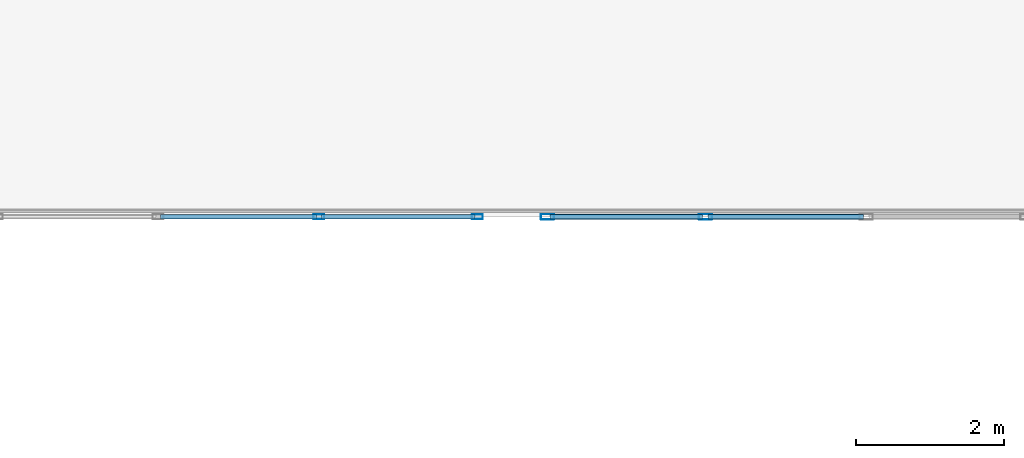
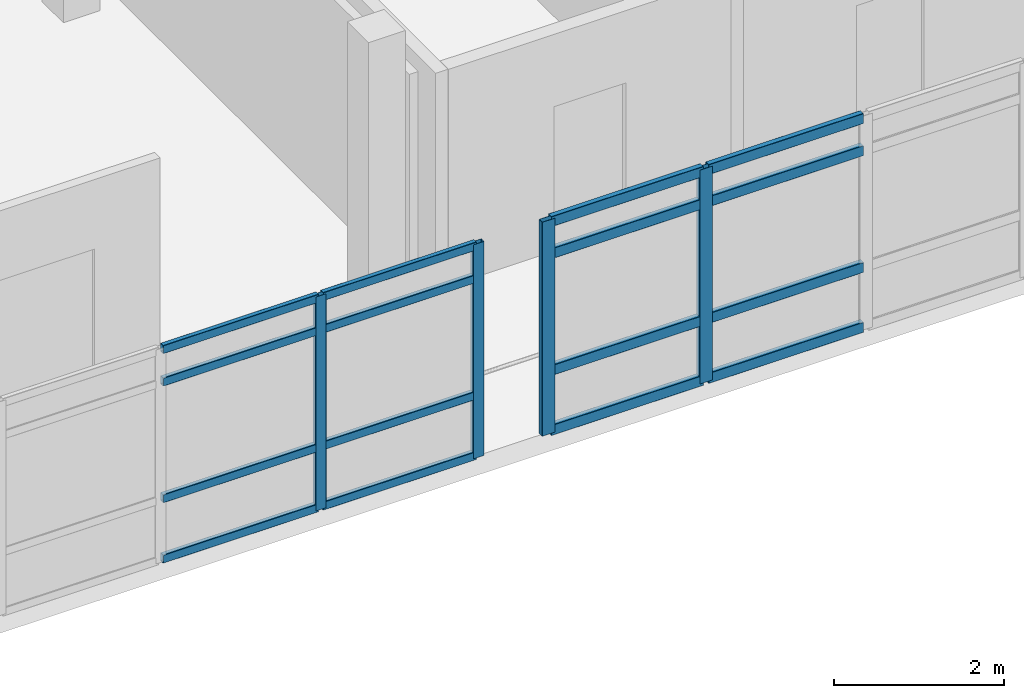
# One storey, part 10 of 24: 20 members, 2 elements without a shape of their own.
"""IFC4 building model written with IfcOpenShell, lengths in metres."""

from ifc_helpers import new_model, si_unit, direction, frame, origin, origin_2d, place, context, subcontext, project, spatial, hollow_rectangle, extrude, material, layer, layer_set, material_profile, profile_set, type_object, element, aggregate, save


model = new_model("IFC4")

# Units and contexts
model_context = context("Model", 3, precision=1e-05, world=origin(), true_north=direction((0.0, 1.0)))
body_context = subcontext(model_context, "Body", "Model", "MODEL_VIEW")
ifc_project = project(units=[si_unit("LENGTHUNIT", "METRE"), si_unit("AREAUNIT", "SQUARE_METRE"), si_unit("VOLUMEUNIT", "CUBIC_METRE"), si_unit("PLANEANGLEUNIT", "RADIAN"), si_unit("MASSUNIT", "GRAM", prefix="KILO")], contexts=[model_context])

# Site, building, storey
site_placement = place(None, origin())
site = spatial("IfcSite", under=ifc_project, at=site_placement, CompositionType="ELEMENT")
building_placement = place(site_placement, origin())
building = spatial("IfcBuilding", under=site, at=building_placement, Name="Asteropetra Specialist Clinic", CompositionType="ELEMENT")
storey_placement = place(building_placement, frame((0.0, 0.0, 20.739990234375)))
storey = spatial("IfcBuildingStorey", under=building, at=storey_placement, Name="L05", CompositionType="ELEMENT", Elevation=20.739990234375)

# Curtain wall, members
ifc_material_1 = material(Name="Aluminium and low-E glass", Category="aluminium")
ifc_layer_1 = layer(ifc_material_1, 0.135009765625)
ifc_layer_set_1 = layer_set([ifc_layer_1], Name="Aluminium and low-E glass")
curtain_wall_type_1 = type_object("IfcCurtainWallType", Name="CW-SYS-03", PredefinedType="USERDEFINED", material=ifc_layer_set_1)
curtain_wall_1_placement = place(storey_placement, origin())
curtain_wall_1 = element("IfcCurtainWall", 1, at=curtain_wall_1_placement, inside=storey, type_object=curtain_wall_type_1, Name="Curtain Wall CW-058", ObjectType="UNITISED CURTAIN WALL", PredefinedType="USERDEFINED")
ifc_material_2 = material(Name="Aluminium 6063-T6", Category="aluminium")
ifc_material_profile_1 = material_profile(ifc_material_2, hollow_rectangle(XDim=0.06494140625, YDim=0.14990234375, WallThickness=0.00390625, InnerFilletRadius=0.00390625, OuterFilletRadius=0.008056640625, at=origin_2d()), Name="MUL 150x65x4.0")
ifc_profile_set_1 = profile_set([ifc_material_profile_1], Name="Aluminium 6063-T6")
member_type_1 = type_object("IfcMemberType", Name="CWM-150x65", PredefinedType="MULLION", material=ifc_profile_set_1)
member_1_placement = place(storey_placement, frame((18.7275390625, 95.199951171875, 0.0), z_axis=(0.0, 0.0, 1.0), x_axis=(0.0, -1.0, 0.0)))
member_1 = element("IfcMember", 2, at=member_1_placement, type_object=member_type_1, Name="CW-058 mullion 1", PredefinedType="MULLION", context=body_context, shape_type="SweptSolid", body=[
    extrude(hollow_rectangle(XDim=0.06494140625, YDim=0.14990234375, WallThickness=0.00390625, InnerFilletRadius=0.00390625, OuterFilletRadius=0.008056640625, at=origin_2d()), origin(), (0.0, 0.0, 1.0), 3.080078125),
])
member_2_placement = place(storey_placement, frame((16.580078125, 95.199951171875, 0.0), z_axis=(0.0, 0.0, 1.0), x_axis=(0.0, -1.0, 0.0)))
member_2 = element("IfcMember", 3, at=member_2_placement, type_object=member_type_1, Name="CW-058 mullion 2", PredefinedType="MULLION", context=body_context, shape_type="SweptSolid", body=[
    extrude(hollow_rectangle(XDim=0.06494140625, YDim=0.14990234375, WallThickness=0.00390625, InnerFilletRadius=0.00390625, OuterFilletRadius=0.008056640625, at=origin_2d()), origin(), (0.0, 0.0, 1.0), 3.080078125),
])

ifc_material_3 = material(Name="Aluminium and low-E glass", Category="aluminium")
ifc_layer_2 = layer(ifc_material_3, 0.179931640625)
ifc_layer_set_2 = layer_set([ifc_layer_2], Name="Aluminium and low-E glass")
curtain_wall_type_2 = type_object("IfcCurtainWallType", Name="CW-SYS-04", PredefinedType="USERDEFINED", material=ifc_layer_set_2)
curtain_wall_2_placement = place(storey_placement, origin())
curtain_wall_2 = element("IfcCurtainWall", 4, at=curtain_wall_2_placement, inside=storey, type_object=curtain_wall_type_2, Name="Curtain Wall CW-060", ObjectType="UNITISED CURTAIN WALL", PredefinedType="USERDEFINED")
ifc_material_4 = material(Name="Aluminium 6063-T6", Category="aluminium")
ifc_material_profile_2 = material_profile(ifc_material_4, hollow_rectangle(XDim=0.074951171875, YDim=0.179931640625, WallThickness=0.00390625, InnerFilletRadius=0.00390625, OuterFilletRadius=0.008056640625, at=origin_2d()), Name="MUL 180x75x4.0")
ifc_profile_set_2 = profile_set([ifc_material_profile_2], Name="Aluminium 6063-T6")
member_type_2 = type_object("IfcMemberType", Name="CWM-180x75", PredefinedType="MULLION", material=ifc_profile_set_2)
member_3_placement = place(storey_placement, frame((21.820068359375, 95.199951171875, 0.0), z_axis=(0.0, 0.0, 1.0), x_axis=(0.0, -1.0, 0.0)))
member_3 = element("IfcMember", 5, at=member_3_placement, type_object=member_type_2, Name="CW-060 mullion 4", PredefinedType="MULLION", context=body_context, shape_type="SweptSolid", body=[
    extrude(hollow_rectangle(XDim=0.074951171875, YDim=0.179931640625, WallThickness=0.00390625, InnerFilletRadius=0.00390625, OuterFilletRadius=0.008056640625, at=origin_2d()), origin(), (0.0, 0.0, 1.0), 3.080078125),
])
member_4_placement = place(storey_placement, frame((19.677490234375, 95.199951171875, 0.0), z_axis=(0.0, 0.0, 1.0), x_axis=(0.0, -1.0, 0.0)))
member_4 = element("IfcMember", 6, at=member_4_placement, type_object=member_type_2, Name="CW-060 mullion 5", PredefinedType="MULLION", context=body_context, shape_type="SweptSolid", body=[
    extrude(hollow_rectangle(XDim=0.074951171875, YDim=0.179931640625, WallThickness=0.00390625, InnerFilletRadius=0.00390625, OuterFilletRadius=0.008056640625, at=origin_2d()), origin(), (0.0, 0.0, 1.0), 3.080078125),
])

# Member
ifc_material_5 = material(Name="Aluminium 6063-T6", Category="aluminium")
ifc_material_profile_3 = material_profile(ifc_material_5, hollow_rectangle(XDim=0.06494140625, YDim=0.1201171875, WallThickness=0.00390625, InnerFilletRadius=0.00390625, OuterFilletRadius=0.008056640625, at=origin_2d()), Name="TRN 120x65x4.0")
ifc_profile_set_3 = profile_set([ifc_material_profile_3], Name="Aluminium 6063-T6")
member_type_3 = type_object("IfcMemberType", Name="CWT-120x65", PredefinedType="USERDEFINED", material=ifc_profile_set_3)
member_5_placement = place(storey_placement, frame((18.695068359375, 95.199951171875, 0.032470703125), z_axis=(-1.0, 0.0, 0.0), x_axis=(0.0, -1.0, 0.0)))
member_5 = element("IfcMember", 7, at=member_5_placement, type_object=member_type_3, Name="CW-058 transom 1.1", ObjectType="TRANSOM", PredefinedType="USERDEFINED", context=body_context, shape_type="SweptSolid", body=[
    extrude(hollow_rectangle(XDim=0.06494140625, YDim=0.1201171875, WallThickness=0.00390625, InnerFilletRadius=0.00390625, OuterFilletRadius=0.008056640625, at=origin_2d()), origin(), (0.0, 0.0, 1.0), 2.08251953125),
])

member_6_placement = place(storey_placement, frame((18.695068359375, 95.199951171875, 0.89990234375), z_axis=(-1.0, 0.0, 0.0), x_axis=(0.0, -1.0, 0.0)))
member_6 = element("IfcMember", 8, at=member_6_placement, type_object=member_type_3, Name="CW-058 transom 1.2", ObjectType="TRANSOM", PredefinedType="USERDEFINED", context=body_context, shape_type="SweptSolid", body=[
    extrude(hollow_rectangle(XDim=0.06494140625, YDim=0.1201171875, WallThickness=0.00390625, InnerFilletRadius=0.00390625, OuterFilletRadius=0.008056640625, at=origin_2d()), origin(), (0.0, 0.0, 1.0), 2.08251953125),
])

member_7_placement = place(storey_placement, frame((18.695068359375, 95.199951171875, 2.580078125), z_axis=(-1.0, 0.0, 0.0), x_axis=(0.0, -1.0, 0.0)))
member_7 = element("IfcMember", 9, at=member_7_placement, type_object=member_type_3, Name="CW-058 transom 1.3", ObjectType="TRANSOM", PredefinedType="USERDEFINED", context=body_context, shape_type="SweptSolid", body=[
    extrude(hollow_rectangle(XDim=0.06494140625, YDim=0.1201171875, WallThickness=0.00390625, InnerFilletRadius=0.00390625, OuterFilletRadius=0.008056640625, at=origin_2d()), origin(), (0.0, 0.0, 1.0), 2.08251953125),
])

member_8_placement = place(storey_placement, frame((18.695068359375, 95.199951171875, 3.047607421875), z_axis=(-1.0, 0.0, 0.0), x_axis=(0.0, -1.0, 0.0)))
member_8 = element("IfcMember", 10, at=member_8_placement, type_object=member_type_3, Name="CW-058 transom 1.4", ObjectType="TRANSOM", PredefinedType="USERDEFINED", context=body_context, shape_type="SweptSolid", body=[
    extrude(hollow_rectangle(XDim=0.06494140625, YDim=0.1201171875, WallThickness=0.00390625, InnerFilletRadius=0.00390625, OuterFilletRadius=0.008056640625, at=origin_2d()), origin(), (0.0, 0.0, 1.0), 2.08251953125),
])

member_9_placement = place(storey_placement, frame((16.547607421875, 95.199951171875, 0.032470703125), z_axis=(-1.0, 0.0, 0.0), x_axis=(0.0, -1.0, 0.0)))
member_9 = element("IfcMember", 11, at=member_9_placement, type_object=member_type_3, Name="CW-058 transom 2.1", ObjectType="TRANSOM", PredefinedType="USERDEFINED", context=body_context, shape_type="SweptSolid", body=[
    extrude(hollow_rectangle(XDim=0.06494140625, YDim=0.1201171875, WallThickness=0.00390625, InnerFilletRadius=0.00390625, OuterFilletRadius=0.008056640625, at=origin_2d()), origin(), (0.0, 0.0, 1.0), 2.114990234375),
])

member_10_placement = place(storey_placement, frame((16.547607421875, 95.199951171875, 0.89990234375), z_axis=(-1.0, 0.0, 0.0), x_axis=(0.0, -1.0, 0.0)))
member_10 = element("IfcMember", 12, at=member_10_placement, type_object=member_type_3, Name="CW-058 transom 2.2", ObjectType="TRANSOM", PredefinedType="USERDEFINED", context=body_context, shape_type="SweptSolid", body=[
    extrude(hollow_rectangle(XDim=0.06494140625, YDim=0.1201171875, WallThickness=0.00390625, InnerFilletRadius=0.00390625, OuterFilletRadius=0.008056640625, at=origin_2d()), origin(), (0.0, 0.0, 1.0), 2.114990234375),
])

member_11_placement = place(storey_placement, frame((16.547607421875, 95.199951171875, 2.580078125), z_axis=(-1.0, 0.0, 0.0), x_axis=(0.0, -1.0, 0.0)))
member_11 = element("IfcMember", 13, at=member_11_placement, type_object=member_type_3, Name="CW-058 transom 2.3", ObjectType="TRANSOM", PredefinedType="USERDEFINED", context=body_context, shape_type="SweptSolid", body=[
    extrude(hollow_rectangle(XDim=0.06494140625, YDim=0.1201171875, WallThickness=0.00390625, InnerFilletRadius=0.00390625, OuterFilletRadius=0.008056640625, at=origin_2d()), origin(), (0.0, 0.0, 1.0), 2.114990234375),
])

member_12_placement = place(storey_placement, frame((16.547607421875, 95.199951171875, 3.047607421875), z_axis=(-1.0, 0.0, 0.0), x_axis=(0.0, -1.0, 0.0)))
member_12 = element("IfcMember", 14, at=member_12_placement, type_object=member_type_3, Name="CW-058 transom 2.4", ObjectType="TRANSOM", PredefinedType="USERDEFINED", context=body_context, shape_type="SweptSolid", body=[
    extrude(hollow_rectangle(XDim=0.06494140625, YDim=0.1201171875, WallThickness=0.00390625, InnerFilletRadius=0.00390625, OuterFilletRadius=0.008056640625, at=origin_2d()), origin(), (0.0, 0.0, 1.0), 2.114990234375),
])

aggregate(curtain_wall_1, [member_1, member_2, member_5, member_6, member_7, member_8, member_9, member_10, member_11, member_12])

ifc_material_6 = material(Name="Aluminium 6063-T6", Category="aluminium")
ifc_material_profile_4 = material_profile(ifc_material_6, hollow_rectangle(XDim=0.074951171875, YDim=0.14990234375, WallThickness=0.00390625, InnerFilletRadius=0.00390625, OuterFilletRadius=0.008056640625, at=origin_2d()), Name="TRN 150x75x4.0")
ifc_profile_set_4 = profile_set([ifc_material_profile_4], Name="Aluminium 6063-T6")
member_type_4 = type_object("IfcMemberType", Name="CWT-150x75", PredefinedType="USERDEFINED", material=ifc_profile_set_4)
member_13_placement = place(storey_placement, frame((23.96240234375, 95.199951171875, 0.03759765625), z_axis=(-1.0, 0.0, 0.0), x_axis=(0.0, -1.0, 0.0)))
member_13 = element("IfcMember", 15, at=member_13_placement, type_object=member_type_4, Name="CW-060 transom 3.1", ObjectType="TRANSOM", PredefinedType="USERDEFINED", context=body_context, shape_type="SweptSolid", body=[
    extrude(hollow_rectangle(XDim=0.074951171875, YDim=0.14990234375, WallThickness=0.00390625, InnerFilletRadius=0.00390625, OuterFilletRadius=0.008056640625, at=origin_2d()), origin(), (0.0, 0.0, 1.0), 2.10498046875),
])

member_14_placement = place(storey_placement, frame((23.96240234375, 95.199951171875, 0.89990234375), z_axis=(-1.0, 0.0, 0.0), x_axis=(0.0, -1.0, 0.0)))
member_14 = element("IfcMember", 16, at=member_14_placement, type_object=member_type_4, Name="CW-060 transom 3.2", ObjectType="TRANSOM", PredefinedType="USERDEFINED", context=body_context, shape_type="SweptSolid", body=[
    extrude(hollow_rectangle(XDim=0.074951171875, YDim=0.14990234375, WallThickness=0.00390625, InnerFilletRadius=0.00390625, OuterFilletRadius=0.008056640625, at=origin_2d()), origin(), (0.0, 0.0, 1.0), 2.10498046875),
])

member_15_placement = place(storey_placement, frame((23.96240234375, 95.199951171875, 2.580078125), z_axis=(-1.0, 0.0, 0.0), x_axis=(0.0, -1.0, 0.0)))
member_15 = element("IfcMember", 17, at=member_15_placement, type_object=member_type_4, Name="CW-060 transom 3.3", ObjectType="TRANSOM", PredefinedType="USERDEFINED", context=body_context, shape_type="SweptSolid", body=[
    extrude(hollow_rectangle(XDim=0.074951171875, YDim=0.14990234375, WallThickness=0.00390625, InnerFilletRadius=0.00390625, OuterFilletRadius=0.008056640625, at=origin_2d()), origin(), (0.0, 0.0, 1.0), 2.10498046875),
])

member_16_placement = place(storey_placement, frame((23.96240234375, 95.199951171875, 3.04248046875), z_axis=(-1.0, 0.0, 0.0), x_axis=(0.0, -1.0, 0.0)))
member_16 = element("IfcMember", 18, at=member_16_placement, type_object=member_type_4, Name="CW-060 transom 3.4", ObjectType="TRANSOM", PredefinedType="USERDEFINED", context=body_context, shape_type="SweptSolid", body=[
    extrude(hollow_rectangle(XDim=0.074951171875, YDim=0.14990234375, WallThickness=0.00390625, InnerFilletRadius=0.00390625, OuterFilletRadius=0.008056640625, at=origin_2d()), origin(), (0.0, 0.0, 1.0), 2.10498046875),
])

member_17_placement = place(storey_placement, frame((21.782470703125, 95.199951171875, 0.03759765625), z_axis=(-1.0, 0.0, 0.0), x_axis=(0.0, -1.0, 0.0)))
member_17 = element("IfcMember", 19, at=member_17_placement, type_object=member_type_4, Name="CW-060 transom 4.1", ObjectType="TRANSOM", PredefinedType="USERDEFINED", context=body_context, shape_type="SweptSolid", body=[
    extrude(hollow_rectangle(XDim=0.074951171875, YDim=0.14990234375, WallThickness=0.00390625, InnerFilletRadius=0.00390625, OuterFilletRadius=0.008056640625, at=origin_2d()), origin(), (0.0, 0.0, 1.0), 2.0673828125),
])

member_18_placement = place(storey_placement, frame((21.782470703125, 95.199951171875, 0.89990234375), z_axis=(-1.0, 0.0, 0.0), x_axis=(0.0, -1.0, 0.0)))
member_18 = element("IfcMember", 20, at=member_18_placement, type_object=member_type_4, Name="CW-060 transom 4.2", ObjectType="TRANSOM", PredefinedType="USERDEFINED", context=body_context, shape_type="SweptSolid", body=[
    extrude(hollow_rectangle(XDim=0.074951171875, YDim=0.14990234375, WallThickness=0.00390625, InnerFilletRadius=0.00390625, OuterFilletRadius=0.008056640625, at=origin_2d()), origin(), (0.0, 0.0, 1.0), 2.0673828125),
])

member_19_placement = place(storey_placement, frame((21.782470703125, 95.199951171875, 2.580078125), z_axis=(-1.0, 0.0, 0.0), x_axis=(0.0, -1.0, 0.0)))
member_19 = element("IfcMember", 21, at=member_19_placement, type_object=member_type_4, Name="CW-060 transom 4.3", ObjectType="TRANSOM", PredefinedType="USERDEFINED", context=body_context, shape_type="SweptSolid", body=[
    extrude(hollow_rectangle(XDim=0.074951171875, YDim=0.14990234375, WallThickness=0.00390625, InnerFilletRadius=0.00390625, OuterFilletRadius=0.008056640625, at=origin_2d()), origin(), (0.0, 0.0, 1.0), 2.0673828125),
])

member_20_placement = place(storey_placement, frame((21.782470703125, 95.199951171875, 3.04248046875), z_axis=(-1.0, 0.0, 0.0), x_axis=(0.0, -1.0, 0.0)))
member_20 = element("IfcMember", 22, at=member_20_placement, type_object=member_type_4, Name="CW-060 transom 4.4", ObjectType="TRANSOM", PredefinedType="USERDEFINED", context=body_context, shape_type="SweptSolid", body=[
    extrude(hollow_rectangle(XDim=0.074951171875, YDim=0.14990234375, WallThickness=0.00390625, InnerFilletRadius=0.00390625, OuterFilletRadius=0.008056640625, at=origin_2d()), origin(), (0.0, 0.0, 1.0), 2.0673828125),
])

aggregate(curtain_wall_2, [member_3, member_4, member_13, member_14, member_15, member_16, member_17, member_18, member_19, member_20])

save(model, "model.ifc")
